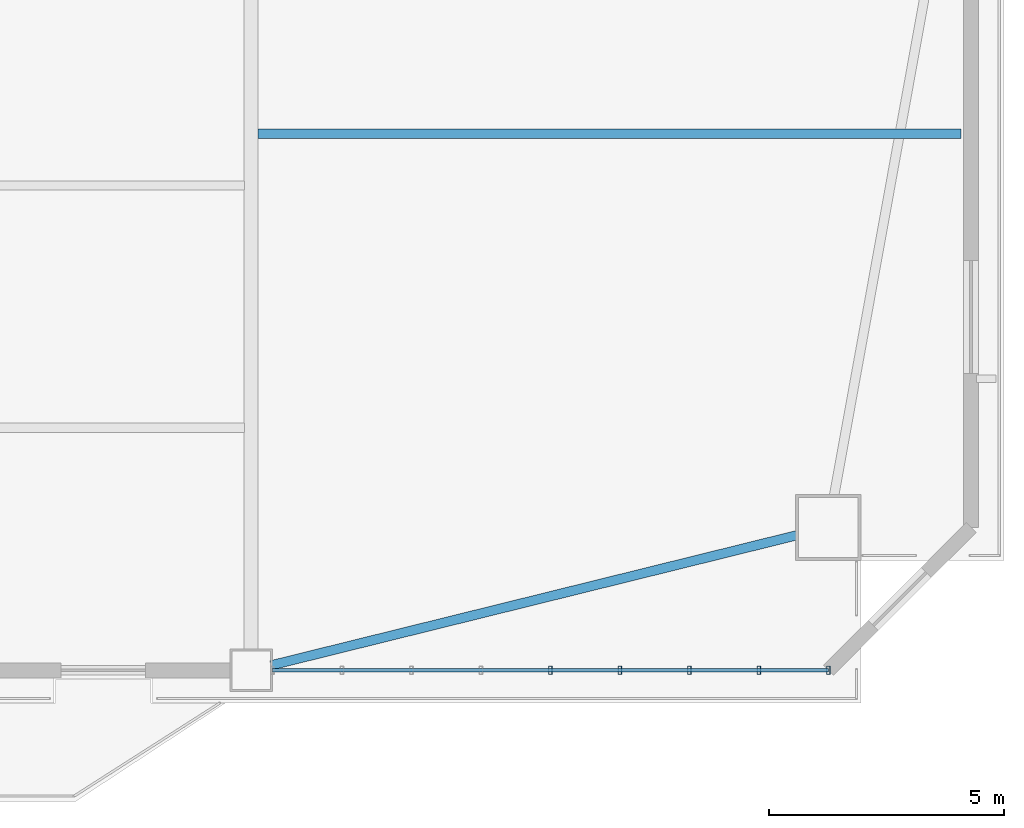
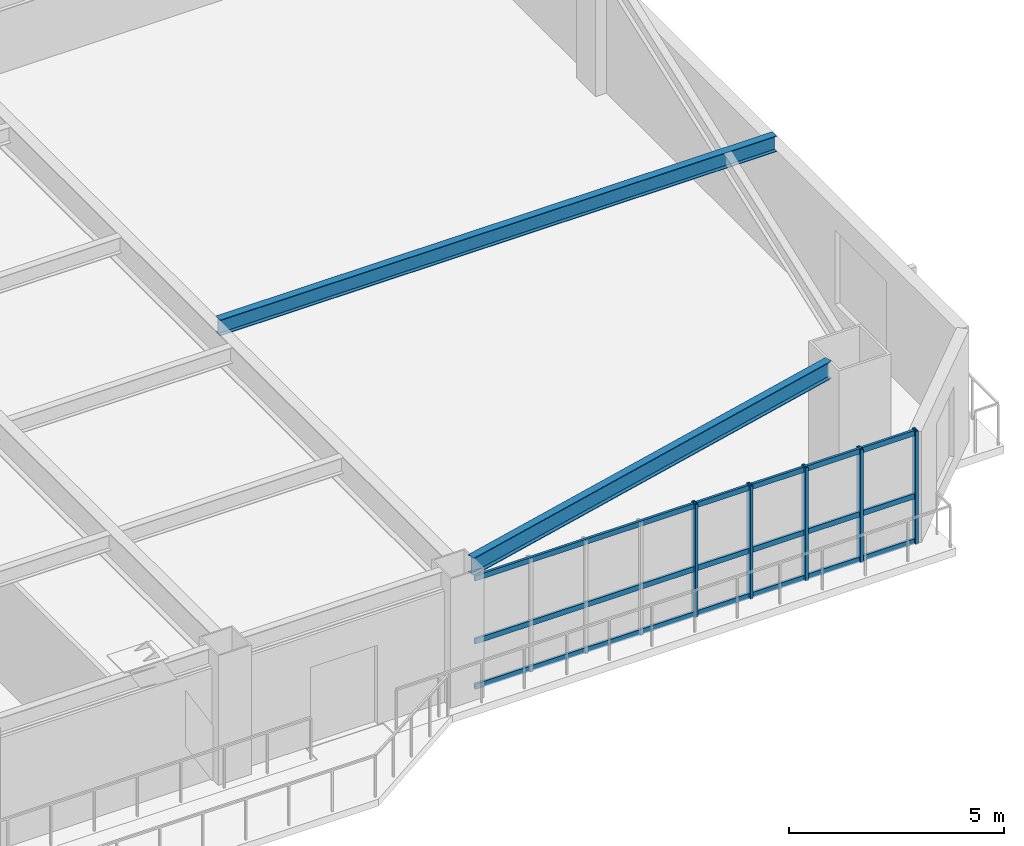
# One storey, part 5 of 15: 8 members, 2 beams, 1 element without a shape of its own.
"""IFC4 building model written with IfcOpenShell, lengths in metres."""

from ifc_helpers import new_model, si_unit, direction, frame, origin, origin_2d, place, context, subcontext, project, spatial, hollow_rectangle, i_section, extrude, source, transform, mapped, material, layer, layer_set, material_profile, profile_set, type_object, element, aggregate, save


model = new_model("IFC4")

# Units and contexts
model_context = context("Model", 3, precision=1e-05, world=origin(), true_north=direction((0.0, 1.0)))
body_context = subcontext(model_context, "Body", "Model", "MODEL_VIEW")
ifc_project = project(units=[si_unit("LENGTHUNIT", "METRE"), si_unit("AREAUNIT", "SQUARE_METRE"), si_unit("VOLUMEUNIT", "CUBIC_METRE"), si_unit("PLANEANGLEUNIT", "RADIAN"), si_unit("MASSUNIT", "GRAM", prefix="KILO")], contexts=[model_context])

# Site, building, storey
site_placement = place(None, origin())
site = spatial("IfcSite", under=ifc_project, at=site_placement, CompositionType="ELEMENT")
building_placement = place(site_placement, origin())
building = spatial("IfcBuilding", under=site, at=building_placement, Name="Giltprow Tower", CompositionType="ELEMENT")
storey_placement = place(building_placement, frame((0.0, 0.0, 99.699951171875)))
storey = spatial("IfcBuildingStorey", under=building, at=storey_placement, Name="L24", CompositionType="ELEMENT", Elevation=99.699951171875)

# Beams
ifc_material_1 = material(Name="Structural steel Q355B", Category="steel")
ifc_material_profile_1 = material_profile(ifc_material_1, i_section(OverallWidth=0.199951171875, OverallDepth=0.449951171875, WebThickness=0.009033203125, FlangeThickness=0.013916015625, at=origin_2d()), Name="HN 450x200x9x14")
ifc_profile_set_1 = profile_set([ifc_material_profile_1], Name="Structural steel Q355B")
beam_type_1 = type_object("IfcBeamType", Name="BM-JOIST-HN450", PredefinedType="JOIST", material=ifc_profile_set_1)
shared_shape_1 = source(origin(), body_context, "Body", "SweptSolid", [
    extrude(i_section(OverallWidth=0.199951171875, OverallDepth=0.449951171875, WebThickness=0.009033203125, FlangeThickness=0.013916015625, at=origin_2d()), origin(), (0.0, 0.0, 1.0), 14.975830078125),
])
beam_1_placement = place(storey_placement, frame((50.695068359375, 17.89306640625, 3.455078125), z_axis=(1.0, 0.0, 0.0), x_axis=(0.0, 1.0, 0.0)))
element("IfcBeam", 1, at=beam_1_placement, inside=storey, type_object=beam_type_1, Name="L24 East Wing Floor Joist 1", PredefinedType="JOIST", context=body_context, shape_type="MappedRepresentation", body=[
    mapped(shared_shape_1, transform((0.0, 0.0, 0.0), x_axis=(1.0, 0.0, 0.0), y_axis=(0.0, 1.0, 0.0), z_axis=(0.0, 0.0, 1.0), scale=1.0)),
])
ifc_material_profile_2 = material_profile(ifc_material_1, i_section(OverallWidth=0.199951171875, OverallDepth=0.5, WebThickness=0.010009765625, FlangeThickness=0.01611328125, at=origin_2d()), Name="HN 500x200x10x16")
ifc_profile_set_2 = profile_set([ifc_material_profile_2], Name="Structural steel Q355B")
beam_type_2 = type_object("IfcBeamType", Name="BM-SPAN-HN500", PredefinedType="SPANDREL", material=ifc_profile_set_2)
shared_shape_2 = source(origin(), body_context, "Body", "SweptSolid", [
    extrude(i_section(OverallWidth=0.199951171875, OverallDepth=0.5, WebThickness=0.010009765625, FlangeThickness=0.01611328125, at=origin_2d()), origin(), (0.0, 0.0, 1.0), 11.54931640625),
])
beam_2_placement = place(storey_placement, frame((50.971923828125, 6.56591796875, 3.429931640625), z_axis=(0.970722882569, 0.240202175794, 0.0), x_axis=(-0.240202175794, 0.970722882569, 0.0)))
element("IfcBeam", 2, at=beam_2_placement, inside=storey, type_object=beam_type_2, Name="L24 Perimeter Spandrel Beam S4-MC_SE", PredefinedType="SPANDREL", context=body_context, shape_type="MappedRepresentation", body=[
    mapped(shared_shape_2, transform((0.0, 0.0, 0.0), x_axis=(1.0, 0.0, 0.0), y_axis=(0.0, 1.0, 0.0), z_axis=(0.0, 0.0, 1.0), scale=1.0)),
])

# Curtain wall, members
ifc_material_2 = material(Name="Anodized bronze", Category="metal")
ifc_layer = layer(ifc_material_2, 0.179931640625, Name="Anodized bronze")
ifc_layer_set = layer_set([ifc_layer], Name="Anodized bronze")
curtain_wall_type = type_object("IfcCurtainWallType", Name="CW-OFF-RECESSED", PredefinedType="NOTDEFINED", material=ifc_layer_set)
curtain_wall_placement = place(storey_placement, origin())
curtain_wall = element("IfcCurtainWall", 3, at=curtain_wall_placement, inside=storey, type_object=curtain_wall_type, Name="L24 South Recessed Curtain Wall 6", PredefinedType="NOTDEFINED")
ifc_material_profile_3 = material_profile(ifc_material_2, hollow_rectangle(XDim=0.074951171875, YDim=0.179931640625, WallThickness=0.008056640625, at=origin_2d()), Name="RHS 180x75x8")
ifc_profile_set_3 = profile_set([ifc_material_profile_3], Name="Anodized bronze")
member_type_1 = type_object("IfcMemberType", Name="CW-MULLION-180x75", PredefinedType="MULLION", material=ifc_profile_set_3)
shared_shape_3 = source(origin(), body_context, "Body", "SweptSolid", [
    extrude(hollow_rectangle(XDim=0.074951171875, YDim=0.179931640625, WallThickness=0.008056640625, at=origin_2d()), origin(), (0.0, 0.0, 1.0), 3.215087890625),
])
member_1_placement = place(storey_placement, frame((56.924072265625, 6.4619140625, -0.02001953125), z_axis=(0.0, 0.0, 1.0), x_axis=(1.0, 0.0, 0.0)))
member_1 = element("IfcMember", 4, at=member_1_placement, type_object=member_type_1, Name="L24 South Recessed Curtain Wall 6 Mullion 5", PredefinedType="MULLION", context=body_context, shape_type="MappedRepresentation", body=[
    mapped(shared_shape_3, transform((0.0, 0.0, 0.0), x_axis=(1.0, 0.0, 0.0), y_axis=(0.0, 1.0, 0.0), z_axis=(0.0, 0.0, 1.0), scale=1.0)),
])
member_2_placement = place(storey_placement, frame((58.405029296875, 6.4619140625, -0.02001953125), z_axis=(0.0, 0.0, 1.0), x_axis=(1.0, 0.0, 0.0)))
member_2 = element("IfcMember", 5, at=member_2_placement, type_object=member_type_1, Name="L24 South Recessed Curtain Wall 6 Mullion 6", PredefinedType="MULLION", context=body_context, shape_type="MappedRepresentation", body=[
    mapped(shared_shape_3, transform((0.0, 0.0, 0.0), x_axis=(1.0, 0.0, 0.0), y_axis=(0.0, 1.0, 0.0), z_axis=(0.0, 0.0, 1.0), scale=1.0)),
])
member_3_placement = place(storey_placement, frame((59.885986328125, 6.4619140625, -0.02001953125), z_axis=(0.0, 0.0, 1.0), x_axis=(1.0, 0.0, 0.0)))
member_3 = element("IfcMember", 6, at=member_3_placement, type_object=member_type_1, Name="L24 South Recessed Curtain Wall 6 Mullion 7", PredefinedType="MULLION", context=body_context, shape_type="MappedRepresentation", body=[
    mapped(shared_shape_3, transform((0.0, 0.0, 0.0), x_axis=(1.0, 0.0, 0.0), y_axis=(0.0, 1.0, 0.0), z_axis=(0.0, 0.0, 1.0), scale=1.0)),
])
member_4_placement = place(storey_placement, frame((61.366943359375, 6.4619140625, -0.02001953125), z_axis=(0.0, 0.0, 1.0), x_axis=(1.0, 0.0, 0.0)))
member_4 = element("IfcMember", 7, at=member_4_placement, type_object=member_type_1, Name="L24 South Recessed Curtain Wall 6 Mullion 8", PredefinedType="MULLION", context=body_context, shape_type="MappedRepresentation", body=[
    mapped(shared_shape_3, transform((0.0, 0.0, 0.0), x_axis=(1.0, 0.0, 0.0), y_axis=(0.0, 1.0, 0.0), z_axis=(0.0, 0.0, 1.0), scale=1.0)),
])
member_5_placement = place(storey_placement, frame((62.847900390625, 6.4619140625, -0.02001953125), z_axis=(0.0, 0.0, 1.0), x_axis=(1.0, 0.0, 0.0)))
member_5 = element("IfcMember", 8, at=member_5_placement, type_object=member_type_1, Name="L24 South Recessed Curtain Wall 6 Mullion 9", PredefinedType="MULLION", context=body_context, shape_type="MappedRepresentation", body=[
    mapped(shared_shape_3, transform((0.0, 0.0, 0.0), x_axis=(1.0, 0.0, 0.0), y_axis=(0.0, 1.0, 0.0), z_axis=(0.0, 0.0, 1.0), scale=1.0)),
])
ifc_material_profile_4 = material_profile(ifc_material_2, hollow_rectangle(XDim=0.06494140625, YDim=0.14990234375, WallThickness=0.006103515625, at=origin_2d()), Name="RHS 150x65x6")
ifc_profile_set_4 = profile_set([ifc_material_profile_4], Name="Anodized bronze")
member_type_2 = type_object("IfcMemberType", Name="CW-TRANSOM-150x65", PredefinedType="USERDEFINED", material=ifc_profile_set_4)
shared_shape_4 = source(origin(), body_context, "Body", "SweptSolid", [
    extrude(hollow_rectangle(XDim=0.06494140625, YDim=0.14990234375, WallThickness=0.006103515625, at=origin_2d()), origin(), (0.0, 0.0, 1.0), 11.847900390625),
])
member_6_placement = place(storey_placement, frame((51.0, 6.4619140625, 0.0400390625), z_axis=(1.0, 0.0, 0.0), x_axis=(0.0, 1.0, 0.0)))
member_6 = element("IfcMember", 9, at=member_6_placement, type_object=member_type_2, Name="L24 South Recessed Curtain Wall 6 Transom 1", ObjectType="TRANSOM", PredefinedType="USERDEFINED", context=body_context, shape_type="MappedRepresentation", body=[
    mapped(shared_shape_4, transform((0.0, 0.0, 0.0), x_axis=(1.0, 0.0, 0.0), y_axis=(0.0, 1.0, 0.0), z_axis=(0.0, 0.0, 1.0), scale=1.0)),
])
member_7_placement = place(storey_placement, frame((51.0, 6.4619140625, 1.3271484375), z_axis=(1.0, 0.0, 0.0), x_axis=(0.0, 1.0, 0.0)))
member_7 = element("IfcMember", 10, at=member_7_placement, type_object=member_type_2, Name="L24 South Recessed Curtain Wall 6 Transom 2", ObjectType="TRANSOM", PredefinedType="USERDEFINED", context=body_context, shape_type="MappedRepresentation", body=[
    mapped(shared_shape_4, transform((0.0, 0.0, 0.0), x_axis=(1.0, 0.0, 0.0), y_axis=(0.0, 1.0, 0.0), z_axis=(0.0, 0.0, 1.0), scale=1.0)),
])
member_8_placement = place(storey_placement, frame((51.0, 6.4619140625, 3.1201171875), z_axis=(1.0, 0.0, 0.0), x_axis=(0.0, 1.0, 0.0)))
member_8 = element("IfcMember", 11, at=member_8_placement, type_object=member_type_2, Name="L24 South Recessed Curtain Wall 6 Transom 3", ObjectType="TRANSOM", PredefinedType="USERDEFINED", context=body_context, shape_type="MappedRepresentation", body=[
    mapped(shared_shape_4, transform((0.0, 0.0, 0.0), x_axis=(1.0, 0.0, 0.0), y_axis=(0.0, 1.0, 0.0), z_axis=(0.0, 0.0, 1.0), scale=1.0)),
])
aggregate(curtain_wall, [member_1, member_2, member_3, member_4, member_5, member_6, member_7, member_8])

save(model, "model.ifc")
